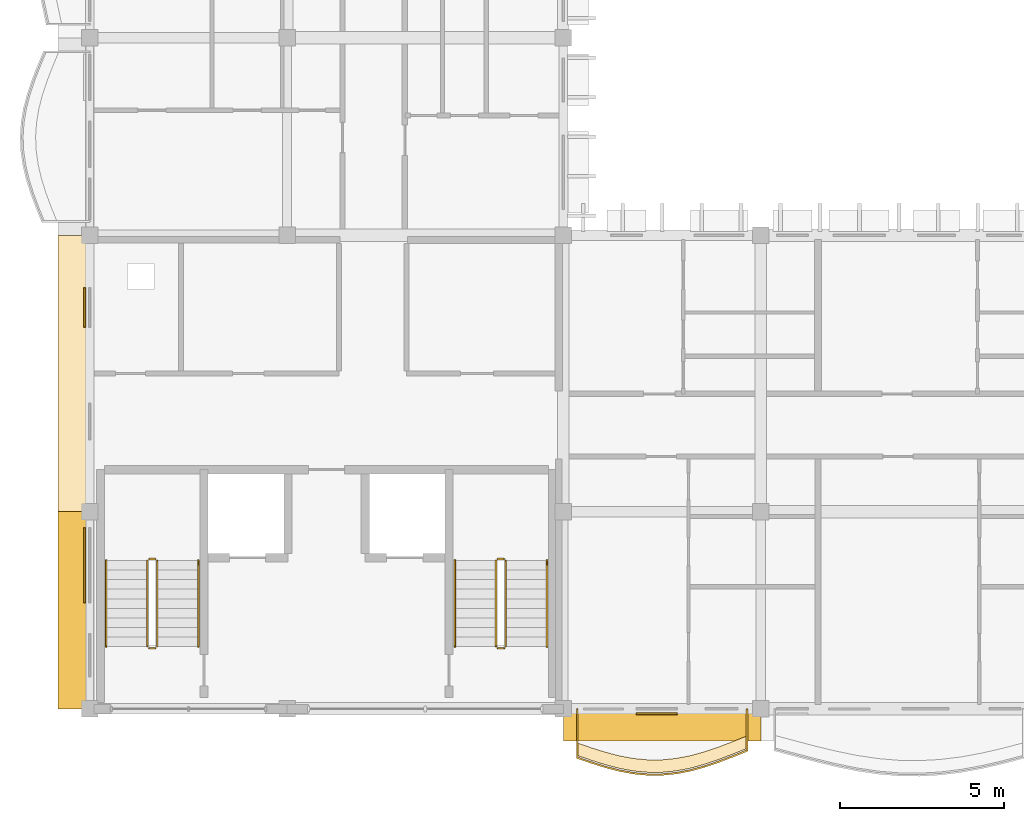
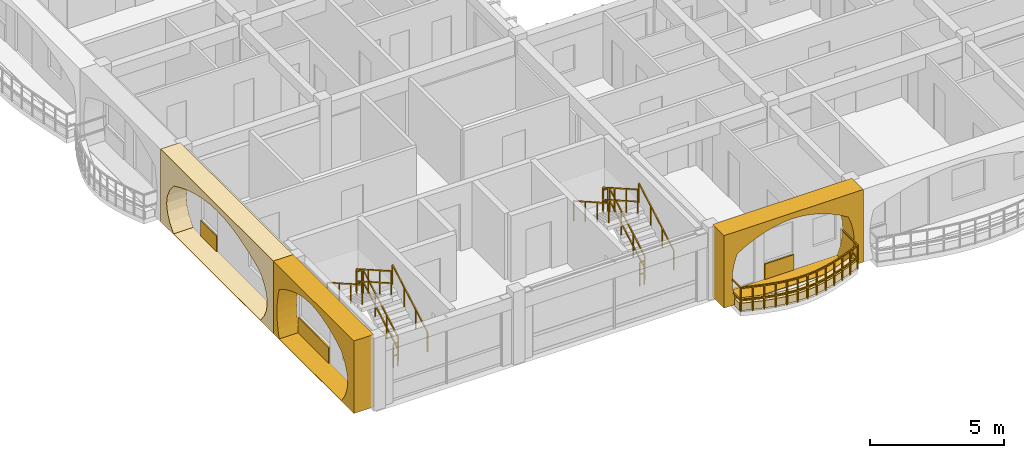
# One storey, part 36 of 59: 13 railings, 7 coverings.
"""IFC4 building model written with IfcOpenShell, lengths in metres."""

from ifc_helpers import new_model, si_unit, direction, frame, origin, origin_2d, place, context, subcontext, project, spatial, polyline, rectangle, outline, extrude, material, layer, layer_set, type_object, element, save


model = new_model("IFC4")

# Units and contexts
model_context = context("Model", 3, precision=1e-05, world=origin(), true_north=direction((0.0, 1.0)))
body_context = subcontext(model_context, "Body", "Model", "MODEL_VIEW")
ifc_project = project(units=[si_unit("LENGTHUNIT", "METRE"), si_unit("AREAUNIT", "SQUARE_METRE"), si_unit("VOLUMEUNIT", "CUBIC_METRE"), si_unit("PLANEANGLEUNIT", "RADIAN"), si_unit("MASSUNIT", "GRAM", prefix="KILO"), si_unit("THERMODYNAMICTEMPERATUREUNIT", "KELVIN")], contexts=[model_context])

# Site, building, storey
site_placement = place(None, origin())
site = spatial("IfcSite", under=ifc_project, at=site_placement, CompositionType="ELEMENT")
building_placement = place(site_placement, origin())
building = spatial("IfcBuilding", under=site, at=building_placement, Name="Thalorik Housing Commons", CompositionType="ELEMENT")
storey_placement = place(building_placement, frame((0.0, 0.0, 27.89990234375)))
storey = spatial("IfcBuildingStorey", under=building, at=storey_placement, Name="L08", CompositionType="ELEMENT", Elevation=27.89990234375)

# Coverings
ifc_material_1 = material(Name="Cobalt blue glazed ceramic facade tile panel", Category="masonry")
ifc_layer_1 = layer(ifc_material_1, 0.06005859375, Name="Cobalt blue glazed ceramic facade tile panel", Category="masonry")
ifc_layer_set_1 = layer_set([ifc_layer_1], Name="Cobalt blue glazed ceramic facade tile panel")
covering_type_1 = type_object("IfcCoveringType", Name="ARC-CLD-BLU-60", PredefinedType="CLADDING", material=ifc_layer_set_1)
covering_1_placement = place(storey_placement, frame((8.24755859375, 12.77001953125, 0.05029296875), z_axis=(0.0, 0.0, 1.0), x_axis=(0.0, -1.0, 0.0)))
element("IfcCovering", 1, at=covering_1_placement, inside=storey, type_object=covering_type_1, Name="L08 De Stijl Recessed Window Spandrel 4308", PredefinedType="CLADDING", context=body_context, shape_type="SweptSolid", body=[
    extrude(rectangle(XDim=2.280029296875, YDim=0.06005859375, at=origin_2d()), origin(), (0.0, 0.0, 1.0), 0.699951171875),
])
covering_2_placement = place(storey_placement, frame((25.635009765625, 8.24755859375, 0.05029296875), z_axis=(0.0, 0.0, 1.0), x_axis=(1.0, 0.0, 0.0)))
element("IfcCovering", 2, at=covering_2_placement, inside=storey, type_object=covering_type_1, Name="L08 De Stijl Recessed Window Spandrel 4310", PredefinedType="CLADDING", context=body_context, shape_type="SweptSolid", body=[
    extrude(rectangle(XDim=1.25, YDim=0.06005859375, at=origin_2d()), origin(), (0.0, 0.0, 1.0), 0.699951171875),
])
ifc_material_2 = material(Name="Precast concrete C40/50", Category="concrete")
ifc_layer_2 = layer(ifc_material_2, 0.85009765625, Name="Precast concrete C40/50", Category="concrete")
ifc_layer_set_2 = layer_set([ifc_layer_2], Name="Precast concrete C40/50")
covering_type_2 = type_object("IfcCoveringType", Name="ARC-CLD-CUSH-850", PredefinedType="CLADDING", material=ifc_layer_set_2)
covering_3_placement = place(storey_placement, frame((7.857421875, 18.60009765625, 0.0), z_axis=(0.0, 0.0, 1.0), x_axis=(0.0, -1.0, 0.0)))
element("IfcCovering", 3, at=covering_3_placement, inside=storey, type_object=covering_type_2, Name="L08 White Precast Curved Cushion Bay Frame 4305", PredefinedType="CLADDING", context=body_context, shape_type="SweptSolid", body=[
    extrude(outline(polyline([(-4.199951171875, 0.0), (4.199951171875, 0.0), (4.199951171875, 3.300048828125), (-4.199951171875, 3.300048828125), (-4.199951171875, 0.0)]), holes=[polyline([(3.239990234375, 0.02490234375), (3.523193359375, 0.387451171875), (3.693359375, 0.75), (3.75, 1.112548828125), (3.693359375, 1.47509765625), (3.523193359375, 1.83740234375), (3.239990234375, 2.199951171875), (2.699951171875, 2.455810546875), (2.159912109375, 2.656494140625), (1.6201171875, 2.819091796875), (1.080078125, 2.940185546875), (0.5400390625, 3.014892578125), (0.0, 3.0400390625), (-0.5400390625, 3.014892578125), (-1.080078125, 2.940185546875), (-1.6201171875, 2.819091796875), (-2.159912109375, 2.656494140625), (-2.699951171875, 2.455810546875), (-3.239990234375, 2.199951171875), (-3.523193359375, 1.83740234375), (-3.693359375, 1.47509765625), (-3.75, 1.112548828125), (-3.693359375, 0.75), (-3.523193359375, 0.387451171875), (-3.239990234375, 0.02490234375), (3.239990234375, 0.02490234375)])]), frame((0.0, 0.425048828125, 0.0), z_axis=(0.0, -1.0, 0.0), x_axis=(1.0, 0.0, 0.0)), (0.0, 0.0, 1.0), 0.85009765625),
])
covering_4_placement = place(storey_placement, frame((7.857421875, 11.39990234375, 0.0), z_axis=(0.0, 0.0, 1.0), x_axis=(0.0, -1.0, 0.0)))
element("IfcCovering", 4, at=covering_4_placement, inside=storey, type_object=covering_type_2, Name="L08 White Precast Curved Cushion Bay Frame 4307", PredefinedType="CLADDING", context=body_context, shape_type="SweptSolid", body=[
    extrude(outline(polyline([(-3.0, 0.0), (3.0, 0.0), (3.0, 3.300048828125), (-3.0, 3.300048828125), (-3.0, 0.0)]), holes=[polyline([(2.070068359375, 0.02490234375), (2.336669921875, 0.40087890625), (2.49658203125, 0.776611328125), (2.550048828125, 1.152587890625), (2.49658203125, 1.5283203125), (2.336669921875, 1.904296875), (2.070068359375, 2.280029296875), (1.68408203125, 2.51123046875), (1.29833984375, 2.693115234375), (0.91259765625, 2.840087890625), (0.526611328125, 2.94970703125), (0.140869140625, 3.01708984375), (-0.2451171875, 3.0400390625), (-0.630859375, 3.01708984375), (-1.0166015625, 2.94970703125), (-1.402587890625, 2.840087890625), (-1.788330078125, 2.693115234375), (-2.17431640625, 2.51123046875), (-2.56005859375, 2.280029296875), (-2.65283203125, 1.904296875), (-2.70849609375, 1.5283203125), (-2.727294921875, 1.152587890625), (-2.70849609375, 0.776611328125), (-2.65283203125, 0.40087890625), (-2.56005859375, 0.02490234375), (2.070068359375, 0.02490234375)])]), frame((0.0, 0.425048828125, 0.0), z_axis=(0.0, -1.0, 0.0), x_axis=(1.0, 0.0, 0.0)), (0.0, 0.0, 1.0), 0.85009765625),
])
covering_5_placement = place(storey_placement, frame((25.800048828125, 7.857421875, 0.0), z_axis=(0.0, 0.0, 1.0), x_axis=(1.0, 0.0, 0.0)))
element("IfcCovering", 5, at=covering_5_placement, inside=storey, type_object=covering_type_2, Name="L08 White Precast Curved Cushion Bay Frame 4309", PredefinedType="CLADDING", context=body_context, shape_type="SweptSolid", body=[
    extrude(outline(polyline([(-3.0, 0.0), (3.0, 0.0), (3.0, 3.300048828125), (-3.0, 3.300048828125), (-3.0, 0.0)]), holes=[polyline([(2.35498046875, 0.02490234375), (2.4912109375, 0.399169921875), (2.572998046875, 0.773193359375), (2.60009765625, 1.1474609375), (2.572998046875, 1.521728515625), (2.4912109375, 1.895751953125), (2.35498046875, 2.27001953125), (1.956298828125, 2.50439453125), (1.5576171875, 2.6884765625), (1.15869140625, 2.837646484375), (0.760009765625, 2.948486328125), (0.361083984375, 3.016845703125), (-0.03759765625, 3.0400390625), (-0.436279296875, 3.016845703125), (-0.8349609375, 2.948486328125), (-1.233642578125, 2.837646484375), (-1.632568359375, 2.6884765625), (-2.03125, 2.50439453125), (-2.429931640625, 2.27001953125), (-2.55029296875, 1.895751953125), (-2.62255859375, 1.521728515625), (-2.646484375, 1.1474609375), (-2.62255859375, 0.773193359375), (-2.55029296875, 0.399169921875), (-2.429931640625, 0.02490234375), (2.35498046875, 0.02490234375)])]), frame((0.0, 0.425048828125, 0.0), z_axis=(0.0, -1.0, 0.0), x_axis=(1.0, 0.0, 0.0)), (0.0, 0.0, 1.0), 0.85009765625),
])
ifc_material_3 = material(Name="Terracotta red mineral fibre-cement panel", Category="masonry")
ifc_layer_3 = layer(ifc_material_3, 0.054931640625, Name="Terracotta red mineral fibre-cement panel", Category="masonry")
ifc_layer_set_3 = layer_set([ifc_layer_3], Name="Terracotta red mineral fibre-cement panel")
covering_type_3 = type_object("IfcCoveringType", Name="ARC-CLD-RED-55", PredefinedType="CLADDING", material=ifc_layer_set_3)
covering_6_placement = place(storey_placement, frame((8.25, 20.60498046875, 0.05029296875), z_axis=(0.0, 0.0, 1.0), x_axis=(0.0, -1.0, 0.0)))
element("IfcCovering", 6, at=covering_6_placement, inside=storey, type_object=covering_type_3, Name="L08 De Stijl Recessed Window Spandrel 4306", PredefinedType="CLADDING", context=body_context, shape_type="SweptSolid", body=[
    extrude(rectangle(XDim=1.199951171875, YDim=0.054931640625, at=origin_2d()), origin(), (0.0, 0.0, 1.0), 0.699951171875),
])
ifc_material_4 = material(Name="Planted vegetated substrate and terracotta trough", Category="masonry")
ifc_layer_4 = layer(ifc_material_4, 0.340087890625, Name="Planted vegetated substrate and terracotta trough", Category="masonry")
ifc_layer_set_4 = layer_set([ifc_layer_4], Name="Planted vegetated substrate and terracotta trough")
covering_type_4 = type_object("IfcCoveringType", Name="ARC-COV-PLANTER", PredefinedType="USERDEFINED", material=ifc_layer_set_4)
covering_7_placement = place(storey_placement, origin())
element("IfcCovering", 7, at=covering_7_placement, inside=storey, type_object=covering_type_4, Name="L08 Balcony Slab-Edge Planted Trough 5630", ObjectType="PLANTER", PredefinedType="USERDEFINED", context=body_context, shape_type="SweptSolid", body=[
    extrude(outline(polyline([(23.219970703125, 6.98779296875), (23.64990234375, 6.83837890625), (24.080078125, 6.703125), (24.510009765625, 6.59228515625), (24.93994140625, 6.51318359375), (25.3701171875, 6.47265625), (25.800048828125, 6.473388671875), (26.22998046875, 6.5166015625), (26.659912109375, 6.599853515625), (27.090087890625, 6.718017578125), (27.52001953125, 6.864013671875), (27.949951171875, 7.028564453125), (28.3798828125, 7.20068359375), (28.3798828125, 7.580810546875), (27.949951171875, 7.40869140625), (27.52001953125, 7.244140625), (27.090087890625, 7.09814453125), (26.659912109375, 6.979736328125), (26.22998046875, 6.896484375), (25.800048828125, 6.853515625), (25.3701171875, 6.8525390625), (24.93994140625, 6.893310546875), (24.510009765625, 6.97216796875), (24.080078125, 7.083251953125), (23.64990234375, 7.21826171875), (23.219970703125, 7.367919921875), (23.219970703125, 6.98779296875)])), origin(), (0.0, 0.0, 1.0), 0.340087890625),
])

# Railings
ifc_material_5 = material(Name="Steel S355", Category="steel")
railing_type_1 = type_object("IfcRailingType", Name="ARC-RL-BAL-112", PredefinedType="BALUSTRADE", material=ifc_material_5)
railing_1_placement = place(storey_placement, frame((23.219970703125, 8.39990234375, 0.0)))
element("IfcRailing", 8, at=railing_1_placement, inside=storey, type_object=railing_type_1, Name="L08 Cushion Balcony Guardrail 314", PredefinedType="BALUSTRADE", context=body_context, shape_type="SweptSolid", body=[
    extrude(rectangle(XDim=0.050048828125, YDim=0.050048828125, at=origin_2d()), frame((0.0, 0.0, 1.09521484375), z_axis=(0.0, -1.0, 0.0), x_axis=(1.0, 0.0, 0.0)), (0.0, 0.0, 1.0), 1.482177734375),
    extrude(rectangle(XDim=0.050048828125, YDim=0.050048828125, at=origin_2d()), frame((0.0, 0.0, 0.53515625), z_axis=(0.0, -1.0, 0.0), x_axis=(1.0, 0.0, 0.0)), (0.0, 0.0, 1.0), 1.482177734375),
    extrude(rectangle(XDim=0.050048828125, YDim=0.050048828125, at=origin_2d()), frame((0.0, -1.482177734375, 1.09521484375), z_axis=(0.944583599267, -0.328270961244, 0.0), x_axis=(0.328270961244, 0.944583599267, 0.0)), (0.0, 0.0, 1.0), 0.455078125),
    extrude(rectangle(XDim=0.050048828125, YDim=0.050048828125, at=origin_2d()), frame((0.0, -1.482177734375, 0.53515625), z_axis=(0.944583599267, -0.328270961244, 0.0), x_axis=(0.328270961244, 0.944583599267, 0.0)), (0.0, 0.0, 1.0), 0.455078125),
    extrude(rectangle(XDim=0.050048828125, YDim=0.050048828125, at=origin_2d()), frame((0.429931640625, -1.631591796875, 1.09521484375), z_axis=(0.954113123941, -0.29944640042, 0.0), x_axis=(0.29944640042, 0.954113123941, 0.0)), (0.0, 0.0, 1.0), 0.450927734375),
    extrude(rectangle(XDim=0.050048828125, YDim=0.050048828125, at=origin_2d()), frame((0.429931640625, -1.631591796875, 0.53515625), z_axis=(0.954113123941, -0.29944640042, 0.0), x_axis=(0.29944640042, 0.954113123941, 0.0)), (0.0, 0.0, 1.0), 0.450927734375),
    extrude(rectangle(XDim=0.050048828125, YDim=0.050048828125, at=origin_2d()), frame((0.860107421875, -1.7666015625, 1.09521484375), z_axis=(0.968204332881, -0.250160687939, 0.0), x_axis=(0.250160687939, 0.968204332881, 0.0)), (0.0, 0.0, 1.0), 0.444091796875),
    extrude(rectangle(XDim=0.050048828125, YDim=0.050048828125, at=origin_2d()), frame((0.860107421875, -1.7666015625, 0.53515625), z_axis=(0.968204332881, -0.250160687939, 0.0), x_axis=(0.250160687939, 0.968204332881, 0.0)), (0.0, 0.0, 1.0), 0.444091796875),
    extrude(rectangle(XDim=0.050048828125, YDim=0.050048828125, at=origin_2d()), frame((1.2900390625, -1.877685546875, 1.09521484375), z_axis=(0.983591693619, -0.180408925065, 0.0), x_axis=(0.180408925065, 0.983591693619, 0.0)), (0.0, 0.0, 1.0), 0.43701171875),
    extrude(rectangle(XDim=0.050048828125, YDim=0.050048828125, at=origin_2d()), frame((1.2900390625, -1.877685546875, 0.53515625), z_axis=(0.983591693619, -0.180408925065, 0.0), x_axis=(0.180408925065, 0.983591693619, 0.0)), (0.0, 0.0, 1.0), 0.43701171875),
    extrude(rectangle(XDim=0.050048828125, YDim=0.050048828125, at=origin_2d()), frame((1.719970703125, -1.95654296875, 1.09521484375), z_axis=(0.99553853831, -0.09435580925, 0.0), x_axis=(0.09435580925, 0.99553853831, 0.0)), (0.0, 0.0, 1.0), 0.43212890625),
    extrude(rectangle(XDim=0.050048828125, YDim=0.050048828125, at=origin_2d()), frame((1.719970703125, -1.95654296875, 0.53515625), z_axis=(0.99553853831, -0.09435580925, 0.0), x_axis=(0.09435580925, 0.99553853831, 0.0)), (0.0, 0.0, 1.0), 0.43212890625),
    extrude(rectangle(XDim=0.050048828125, YDim=0.050048828125, at=origin_2d()), frame((2.150146484375, -1.997314453125, 1.09521484375), z_axis=(0.999997420298, 0.002271430824, 0.0), x_axis=(-0.002271430824, 0.999997420298, 0.0)), (0.0, 0.0, 1.0), 0.429931640625),
    extrude(rectangle(XDim=0.050048828125, YDim=0.050048828125, at=origin_2d()), frame((2.150146484375, -1.997314453125, 0.53515625), z_axis=(0.999997420298, 0.002271430824, 0.0), x_axis=(-0.002271430824, 0.999997420298, 0.0)), (0.0, 0.0, 1.0), 0.429931640625),
    extrude(rectangle(XDim=0.050048828125, YDim=0.050048828125, at=origin_2d()), frame((2.580078125, -1.996337890625, 1.09521484375), z_axis=(0.995042783134, 0.099447773896, 0.0), x_axis=(-0.099447773896, 0.995042783134, 0.0)), (0.0, 0.0, 1.0), 0.43212890625),
    extrude(rectangle(XDim=0.050048828125, YDim=0.050048828125, at=origin_2d()), frame((2.580078125, -1.996337890625, 0.53515625), z_axis=(0.995042783134, 0.099447773896, 0.0), x_axis=(-0.099447773896, 0.995042783134, 0.0)), (0.0, 0.0, 1.0), 0.43212890625),
    extrude(rectangle(XDim=0.050048828125, YDim=0.050048828125, at=origin_2d()), frame((3.010009765625, -1.953369140625, 1.09521484375), z_axis=(0.981763071343, 0.190108578835, 0.0), x_axis=(-0.190108578835, 0.981763071343, 0.0)), (0.0, 0.0, 1.0), 0.43798828125),
    extrude(rectangle(XDim=0.050048828125, YDim=0.050048828125, at=origin_2d()), frame((3.010009765625, -1.953369140625, 0.53515625), z_axis=(0.981763071343, 0.190108578835, 0.0), x_axis=(-0.190108578835, 0.981763071343, 0.0)), (0.0, 0.0, 1.0), 0.43798828125),
    extrude(rectangle(XDim=0.050048828125, YDim=0.050048828125, at=origin_2d()), frame((3.43994140625, -1.8701171875, 1.09521484375), z_axis=(0.964142412169, 0.26538539722, 0.0), x_axis=(-0.26538539722, 0.964142412169, 0.0)), (0.0, 0.0, 1.0), 0.4462890625),
    extrude(rectangle(XDim=0.050048828125, YDim=0.050048828125, at=origin_2d()), frame((3.43994140625, -1.8701171875, 0.53515625), z_axis=(0.964142412169, 0.26538539722, 0.0), x_axis=(-0.26538539722, 0.964142412169, 0.0)), (0.0, 0.0, 1.0), 0.4462890625),
    extrude(rectangle(XDim=0.050048828125, YDim=0.050048828125, at=origin_2d()), frame((3.8701171875, -1.751708984375, 1.09521484375), z_axis=(0.946893945051, 0.321546041533, 0.0), x_axis=(-0.321546041533, 0.946893945051, 0.0)), (0.0, 0.0, 1.0), 0.4541015625),
    extrude(rectangle(XDim=0.050048828125, YDim=0.050048828125, at=origin_2d()), frame((3.8701171875, -1.751708984375, 0.53515625), z_axis=(0.946893945051, 0.321546041533, 0.0), x_axis=(-0.321546041533, 0.946893945051, 0.0)), (0.0, 0.0, 1.0), 0.4541015625),
    extrude(rectangle(XDim=0.050048828125, YDim=0.050048828125, at=origin_2d()), frame((4.300048828125, -1.605712890625, 1.09521484375), z_axis=(0.934109070597, 0.356987736804, 0.0), x_axis=(-0.356987736804, 0.934109070597, 0.0)), (0.0, 0.0, 1.0), 0.460205078125),
    extrude(rectangle(XDim=0.050048828125, YDim=0.050048828125, at=origin_2d()), frame((4.300048828125, -1.605712890625, 0.53515625), z_axis=(0.934109070597, 0.356987736804, 0.0), x_axis=(-0.356987736804, 0.934109070597, 0.0)), (0.0, 0.0, 1.0), 0.460205078125),
    extrude(rectangle(XDim=0.050048828125, YDim=0.050048828125, at=origin_2d()), frame((4.72998046875, -1.44140625, 1.09521484375), z_axis=(0.928185604214, 0.372117567618, 0.0), x_axis=(-0.372117567618, 0.928185604214, 0.0)), (0.0, 0.0, 1.0), 0.463134765625),
    extrude(rectangle(XDim=0.050048828125, YDim=0.050048828125, at=origin_2d()), frame((4.72998046875, -1.44140625, 0.53515625), z_axis=(0.928185604214, 0.372117567618, 0.0), x_axis=(-0.372117567618, 0.928185604214, 0.0)), (0.0, 0.0, 1.0), 0.463134765625),
    extrude(rectangle(XDim=0.050048828125, YDim=0.050048828125, at=origin_2d()), frame((5.159912109375, -1.26904296875, 1.09521484375), z_axis=(0.0, 1.0, 0.0), x_axis=(-1.0, 0.0, 0.0)), (0.0, 0.0, 1.0), 1.26904296875),
    extrude(rectangle(XDim=0.050048828125, YDim=0.050048828125, at=origin_2d()), frame((5.159912109375, -1.26904296875, 0.53515625), z_axis=(0.0, 1.0, 0.0), x_axis=(-1.0, 0.0, 0.0)), (0.0, 0.0, 1.0), 1.26904296875),
    extrude(rectangle(XDim=0.0419921875, YDim=0.0419921875, at=origin_2d()), origin(), (0.0, 0.0, 1.0), 1.070068359375),
    extrude(rectangle(XDim=0.0419921875, YDim=0.0419921875, at=origin_2d()), frame((0.0, -1.482177734375, 0.0)), (0.0, 0.0, 1.0), 1.070068359375),
    extrude(rectangle(XDim=0.0419921875, YDim=0.0419921875, at=origin_2d()), frame((0.429931640625, -1.631591796875, 0.0)), (0.0, 0.0, 1.0), 1.070068359375),
    extrude(rectangle(XDim=0.0419921875, YDim=0.0419921875, at=origin_2d()), frame((0.860107421875, -1.7666015625, 0.0)), (0.0, 0.0, 1.0), 1.070068359375),
    extrude(rectangle(XDim=0.0419921875, YDim=0.0419921875, at=origin_2d()), frame((1.2900390625, -1.877685546875, 0.0)), (0.0, 0.0, 1.0), 1.070068359375),
    extrude(rectangle(XDim=0.0419921875, YDim=0.0419921875, at=origin_2d()), frame((1.719970703125, -1.95654296875, 0.0)), (0.0, 0.0, 1.0), 1.070068359375),
    extrude(rectangle(XDim=0.0419921875, YDim=0.0419921875, at=origin_2d()), frame((2.150146484375, -1.997314453125, 0.0)), (0.0, 0.0, 1.0), 1.070068359375),
    extrude(rectangle(XDim=0.0419921875, YDim=0.0419921875, at=origin_2d()), frame((2.580078125, -1.996337890625, 0.0)), (0.0, 0.0, 1.0), 1.070068359375),
    extrude(rectangle(XDim=0.0419921875, YDim=0.0419921875, at=origin_2d()), frame((3.010009765625, -1.953369140625, 0.0)), (0.0, 0.0, 1.0), 1.070068359375),
    extrude(rectangle(XDim=0.0419921875, YDim=0.0419921875, at=origin_2d()), frame((3.43994140625, -1.8701171875, 0.0)), (0.0, 0.0, 1.0), 1.070068359375),
    extrude(rectangle(XDim=0.0419921875, YDim=0.0419921875, at=origin_2d()), frame((3.8701171875, -1.751708984375, 0.0)), (0.0, 0.0, 1.0), 1.070068359375),
    extrude(rectangle(XDim=0.0419921875, YDim=0.0419921875, at=origin_2d()), frame((4.300048828125, -1.605712890625, 0.0)), (0.0, 0.0, 1.0), 1.070068359375),
    extrude(rectangle(XDim=0.0419921875, YDim=0.0419921875, at=origin_2d()), frame((4.72998046875, -1.44140625, 0.0)), (0.0, 0.0, 1.0), 1.070068359375),
    extrude(rectangle(XDim=0.0419921875, YDim=0.0419921875, at=origin_2d()), frame((5.159912109375, -1.26904296875, 0.0)), (0.0, 0.0, 1.0), 1.070068359375),
    extrude(rectangle(XDim=0.0419921875, YDim=0.0419921875, at=origin_2d()), frame((5.159912109375, 0.0, 0.0)), (0.0, 0.0, 1.0), 1.070068359375),
])
railing_type_2 = type_object("IfcRailingType", Name="ARC-RL-STR-GRD110", PredefinedType="GUARDRAIL", material=ifc_material_5)
railing_2_placement = place(storey_placement, frame((10.449951171875, 10.300048828125, 0.1650390625)))
element("IfcRailing", 9, at=railing_2_placement, inside=storey, type_object=railing_type_2, Name="L08 ST-C1 stair guard 1", PredefinedType="GUARDRAIL", context=body_context, shape_type="SweptSolid", body=[
    extrude(rectangle(XDim=0.048095703125, YDim=0.048095703125, at=origin_2d()), frame((0.0, 0.0, 1.076171875), z_axis=(0.0, 0.869137319866, 0.494570843475), x_axis=(-1.0, 0.0, 0.0)), (0.0, 0.0, 1.0), 3.0029296875),
    extrude(rectangle(XDim=0.048095703125, YDim=0.048095703125, at=origin_2d()), frame((0.0, 0.0, 0.52587890625), z_axis=(0.0, 0.869137319866, 0.494570843475), x_axis=(-1.0, 0.0, 0.0)), (0.0, 0.0, 1.0), 3.0029296875),
    extrude(rectangle(XDim=0.0419921875, YDim=0.0419921875, at=origin_2d()), origin(), (0.0, 0.0, 1.0), 1.052001953125),
    extrude(rectangle(XDim=0.0419921875, YDim=0.0419921875, at=origin_2d()), frame((0.0, 0.869873046875, 0.4951171875)), (0.0, 0.0, 1.0), 1.052001953125),
    extrude(rectangle(XDim=0.0419921875, YDim=0.0419921875, at=origin_2d()), frame((0.0, 1.739990234375, 0.989990234375)), (0.0, 0.0, 1.0), 1.052001953125),
    extrude(rectangle(XDim=0.0419921875, YDim=0.0419921875, at=origin_2d()), frame((0.0, 2.60986328125, 1.485107421875)), (0.0, 0.0, 1.0), 1.052001953125),
])
railing_3_placement = place(storey_placement, frame((10.39990234375, 12.9599609375, 1.650146484375)))
element("IfcRailing", 10, at=railing_3_placement, inside=storey, type_object=railing_type_2, Name="L08 ST-C1 stair guard 2", PredefinedType="GUARDRAIL", context=body_context, shape_type="SweptSolid", body=[
    extrude(rectangle(XDim=0.048095703125, YDim=0.048095703125, at=origin_2d()), frame((0.0, 0.0, 1.076171875), z_axis=(-1.0, 0.0, 0.0), x_axis=(0.0, -1.0, 0.0)), (0.0, 0.0, 1.0), 0.199951171875),
    extrude(rectangle(XDim=0.048095703125, YDim=0.048095703125, at=origin_2d()), frame((0.0, 0.0, 0.52587890625), z_axis=(-1.0, 0.0, 0.0), x_axis=(0.0, -1.0, 0.0)), (0.0, 0.0, 1.0), 0.199951171875),
    extrude(rectangle(XDim=0.0419921875, YDim=0.0419921875, at=origin_2d()), origin(), (0.0, 0.0, 1.0), 1.052001953125),
    extrude(rectangle(XDim=0.0419921875, YDim=0.0419921875, at=origin_2d()), frame((-0.199951171875, 0.0, 0.0)), (0.0, 0.0, 1.0), 1.052001953125),
])
railing_4_placement = place(storey_placement, frame((10.14990234375, 12.909912109375, 1.815185546875)))
element("IfcRailing", 11, at=railing_4_placement, inside=storey, type_object=railing_type_2, Name="L08 ST-C1 stair guard 3", PredefinedType="GUARDRAIL", context=body_context, shape_type="SweptSolid", body=[
    extrude(rectangle(XDim=0.048095703125, YDim=0.048095703125, at=origin_2d()), frame((0.0, 0.0, 1.076171875), z_axis=(0.0, -0.869172267526, 0.494509422927), x_axis=(1.0, 0.0, 0.0)), (0.0, 0.0, 1.0), 3.002685546875),
    extrude(rectangle(XDim=0.048095703125, YDim=0.048095703125, at=origin_2d()), frame((0.0, 0.0, 0.52587890625), z_axis=(0.0, -0.869172267526, 0.494509422927), x_axis=(1.0, 0.0, 0.0)), (0.0, 0.0, 1.0), 3.002685546875),
    extrude(rectangle(XDim=0.0419921875, YDim=0.0419921875, at=origin_2d()), origin(), (0.0, 0.0, 1.0), 1.052001953125),
    extrude(rectangle(XDim=0.0419921875, YDim=0.0419921875, at=origin_2d()), frame((0.0, -0.869873046875, 0.494873046875)), (0.0, 0.0, 1.0), 1.052001953125),
    extrude(rectangle(XDim=0.0419921875, YDim=0.0419921875, at=origin_2d()), frame((0.0, -1.739990234375, 0.989990234375)), (0.0, 0.0, 1.0), 1.052001953125),
    extrude(rectangle(XDim=0.0419921875, YDim=0.0419921875, at=origin_2d()), frame((0.0, -2.60986328125, 1.48486328125)), (0.0, 0.0, 1.0), 1.052001953125),
])
railing_5_placement = place(storey_placement, frame((10.39990234375, 10.25, 0.0)))
element("IfcRailing", 12, at=railing_5_placement, inside=storey, type_object=railing_type_2, Name="L08 ST-C1 stair guard 4", PredefinedType="GUARDRAIL", context=body_context, shape_type="SweptSolid", body=[
    extrude(rectangle(XDim=0.048095703125, YDim=0.048095703125, at=origin_2d()), frame((0.0, 0.0, 1.076171875), z_axis=(-1.0, 0.0, 0.0), x_axis=(0.0, -1.0, 0.0)), (0.0, 0.0, 1.0), 0.199951171875),
    extrude(rectangle(XDim=0.048095703125, YDim=0.048095703125, at=origin_2d()), frame((0.0, 0.0, 0.52587890625), z_axis=(-1.0, 0.0, 0.0), x_axis=(0.0, -1.0, 0.0)), (0.0, 0.0, 1.0), 0.199951171875),
    extrude(rectangle(XDim=0.0419921875, YDim=0.0419921875, at=origin_2d()), origin(), (0.0, 0.0, 1.0), 1.052001953125),
    extrude(rectangle(XDim=0.0419921875, YDim=0.0419921875, at=origin_2d()), frame((-0.199951171875, 0.0, 0.0)), (0.0, 0.0, 1.0), 1.052001953125),
])
railing_6_placement = place(storey_placement, frame((21.050048828125, 10.300048828125, 0.1650390625)))
element("IfcRailing", 13, at=railing_6_placement, inside=storey, type_object=railing_type_2, Name="L08 ST-C2 stair guard 1", PredefinedType="GUARDRAIL", context=body_context, shape_type="SweptSolid", body=[
    extrude(rectangle(XDim=0.048095703125, YDim=0.048095703125, at=origin_2d()), frame((0.0, 0.0, 1.076171875), z_axis=(0.0, 0.869137319866, 0.494570843475), x_axis=(-1.0, 0.0, 0.0)), (0.0, 0.0, 1.0), 3.0029296875),
    extrude(rectangle(XDim=0.048095703125, YDim=0.048095703125, at=origin_2d()), frame((0.0, 0.0, 0.52587890625), z_axis=(0.0, 0.869137319866, 0.494570843475), x_axis=(-1.0, 0.0, 0.0)), (0.0, 0.0, 1.0), 3.0029296875),
    extrude(rectangle(XDim=0.0419921875, YDim=0.0419921875, at=origin_2d()), origin(), (0.0, 0.0, 1.0), 1.052001953125),
    extrude(rectangle(XDim=0.0419921875, YDim=0.0419921875, at=origin_2d()), frame((0.0, 0.869873046875, 0.4951171875)), (0.0, 0.0, 1.0), 1.052001953125),
    extrude(rectangle(XDim=0.0419921875, YDim=0.0419921875, at=origin_2d()), frame((0.0, 1.739990234375, 0.989990234375)), (0.0, 0.0, 1.0), 1.052001953125),
    extrude(rectangle(XDim=0.0419921875, YDim=0.0419921875, at=origin_2d()), frame((0.0, 2.60986328125, 1.485107421875)), (0.0, 0.0, 1.0), 1.052001953125),
])
railing_7_placement = place(storey_placement, frame((21.0, 12.9599609375, 1.650146484375)))
element("IfcRailing", 14, at=railing_7_placement, inside=storey, type_object=railing_type_2, Name="L08 ST-C2 stair guard 2", PredefinedType="GUARDRAIL", context=body_context, shape_type="SweptSolid", body=[
    extrude(rectangle(XDim=0.048095703125, YDim=0.048095703125, at=origin_2d()), frame((0.0, 0.0, 1.076171875), z_axis=(-1.0, 0.0, 0.0), x_axis=(0.0, -1.0, 0.0)), (0.0, 0.0, 1.0), 0.199951171875),
    extrude(rectangle(XDim=0.048095703125, YDim=0.048095703125, at=origin_2d()), frame((0.0, 0.0, 0.52587890625), z_axis=(-1.0, 0.0, 0.0), x_axis=(0.0, -1.0, 0.0)), (0.0, 0.0, 1.0), 0.199951171875),
    extrude(rectangle(XDim=0.0419921875, YDim=0.0419921875, at=origin_2d()), origin(), (0.0, 0.0, 1.0), 1.052001953125),
    extrude(rectangle(XDim=0.0419921875, YDim=0.0419921875, at=origin_2d()), frame((-0.199951171875, 0.0, 0.0)), (0.0, 0.0, 1.0), 1.052001953125),
])
railing_8_placement = place(storey_placement, frame((20.75, 12.909912109375, 1.815185546875)))
element("IfcRailing", 15, at=railing_8_placement, inside=storey, type_object=railing_type_2, Name="L08 ST-C2 stair guard 3", PredefinedType="GUARDRAIL", context=body_context, shape_type="SweptSolid", body=[
    extrude(rectangle(XDim=0.048095703125, YDim=0.048095703125, at=origin_2d()), frame((0.0, 0.0, 1.076171875), z_axis=(0.0, -0.869172267526, 0.494509422927), x_axis=(1.0, 0.0, 0.0)), (0.0, 0.0, 1.0), 3.002685546875),
    extrude(rectangle(XDim=0.048095703125, YDim=0.048095703125, at=origin_2d()), frame((0.0, 0.0, 0.52587890625), z_axis=(0.0, -0.869172267526, 0.494509422927), x_axis=(1.0, 0.0, 0.0)), (0.0, 0.0, 1.0), 3.002685546875),
    extrude(rectangle(XDim=0.0419921875, YDim=0.0419921875, at=origin_2d()), origin(), (0.0, 0.0, 1.0), 1.052001953125),
    extrude(rectangle(XDim=0.0419921875, YDim=0.0419921875, at=origin_2d()), frame((0.0, -0.869873046875, 0.494873046875)), (0.0, 0.0, 1.0), 1.052001953125),
    extrude(rectangle(XDim=0.0419921875, YDim=0.0419921875, at=origin_2d()), frame((0.0, -1.739990234375, 0.989990234375)), (0.0, 0.0, 1.0), 1.052001953125),
    extrude(rectangle(XDim=0.0419921875, YDim=0.0419921875, at=origin_2d()), frame((0.0, -2.60986328125, 1.48486328125)), (0.0, 0.0, 1.0), 1.052001953125),
])
railing_9_placement = place(storey_placement, frame((21.0, 10.25, 0.0)))
element("IfcRailing", 16, at=railing_9_placement, inside=storey, type_object=railing_type_2, Name="L08 ST-C2 stair guard 4", PredefinedType="GUARDRAIL", context=body_context, shape_type="SweptSolid", body=[
    extrude(rectangle(XDim=0.048095703125, YDim=0.048095703125, at=origin_2d()), frame((0.0, 0.0, 1.076171875), z_axis=(-1.0, 0.0, 0.0), x_axis=(0.0, -1.0, 0.0)), (0.0, 0.0, 1.0), 0.199951171875),
    extrude(rectangle(XDim=0.048095703125, YDim=0.048095703125, at=origin_2d()), frame((0.0, 0.0, 0.52587890625), z_axis=(-1.0, 0.0, 0.0), x_axis=(0.0, -1.0, 0.0)), (0.0, 0.0, 1.0), 0.199951171875),
    extrude(rectangle(XDim=0.0419921875, YDim=0.0419921875, at=origin_2d()), origin(), (0.0, 0.0, 1.0), 1.052001953125),
    extrude(rectangle(XDim=0.0419921875, YDim=0.0419921875, at=origin_2d()), frame((-0.199951171875, 0.0, 0.0)), (0.0, 0.0, 1.0), 1.052001953125),
])
railing_type_3 = type_object("IfcRailingType", Name="ARC-RL-STR-HR092", PredefinedType="HANDRAIL", material=ifc_material_5)
railing_10_placement = place(storey_placement, frame((11.699951171875, 10.300048828125, 0.1650390625)))
element("IfcRailing", 17, at=railing_10_placement, inside=storey, type_object=railing_type_3, Name="L08 ST-C1 stair handrail 1", PredefinedType="HANDRAIL", context=body_context, shape_type="SweptSolid", body=[
    extrude(rectangle(XDim=0.048095703125, YDim=0.048095703125, at=origin_2d()), frame((0.0, 0.0, 0.89599609375), z_axis=(0.0, 0.869137319866, 0.494570843475), x_axis=(-1.0, 0.0, 0.0)), (0.0, 0.0, 1.0), 3.0029296875),
    extrude(rectangle(XDim=0.0419921875, YDim=0.0419921875, at=origin_2d()), origin(), (0.0, 0.0, 1.0), 0.871826171875),
    extrude(rectangle(XDim=0.0419921875, YDim=0.0419921875, at=origin_2d()), frame((0.0, 0.869873046875, 0.4951171875)), (0.0, 0.0, 1.0), 0.871826171875),
    extrude(rectangle(XDim=0.0419921875, YDim=0.0419921875, at=origin_2d()), frame((0.0, 1.739990234375, 0.989990234375)), (0.0, 0.0, 1.0), 0.871826171875),
    extrude(rectangle(XDim=0.0419921875, YDim=0.0419921875, at=origin_2d()), frame((0.0, 2.60986328125, 1.485107421875)), (0.0, 0.0, 1.0), 0.871826171875),
])
railing_11_placement = place(storey_placement, frame((8.89990234375, 12.909912109375, 1.815185546875)))
element("IfcRailing", 18, at=railing_11_placement, inside=storey, type_object=railing_type_3, Name="L08 ST-C1 stair handrail 2", PredefinedType="HANDRAIL", context=body_context, shape_type="SweptSolid", body=[
    extrude(rectangle(XDim=0.048095703125, YDim=0.048095703125, at=origin_2d()), frame((0.0, 0.0, 0.89599609375), z_axis=(0.0, -0.869172267526, 0.494509422927), x_axis=(1.0, 0.0, 0.0)), (0.0, 0.0, 1.0), 3.002685546875),
    extrude(rectangle(XDim=0.0419921875, YDim=0.0419921875, at=origin_2d()), origin(), (0.0, 0.0, 1.0), 0.871826171875),
    extrude(rectangle(XDim=0.0419921875, YDim=0.0419921875, at=origin_2d()), frame((0.0, -0.869873046875, 0.494873046875)), (0.0, 0.0, 1.0), 0.871826171875),
    extrude(rectangle(XDim=0.0419921875, YDim=0.0419921875, at=origin_2d()), frame((0.0, -1.739990234375, 0.989990234375)), (0.0, 0.0, 1.0), 0.871826171875),
    extrude(rectangle(XDim=0.0419921875, YDim=0.0419921875, at=origin_2d()), frame((0.0, -2.60986328125, 1.48486328125)), (0.0, 0.0, 1.0), 0.871826171875),
])
railing_12_placement = place(storey_placement, frame((22.300048828125, 10.300048828125, 0.1650390625)))
element("IfcRailing", 19, at=railing_12_placement, inside=storey, type_object=railing_type_3, Name="L08 ST-C2 stair handrail 1", PredefinedType="HANDRAIL", context=body_context, shape_type="SweptSolid", body=[
    extrude(rectangle(XDim=0.048095703125, YDim=0.048095703125, at=origin_2d()), frame((0.0, 0.0, 0.89599609375), z_axis=(0.0, 0.869137319866, 0.494570843475), x_axis=(-1.0, 0.0, 0.0)), (0.0, 0.0, 1.0), 3.0029296875),
    extrude(rectangle(XDim=0.0419921875, YDim=0.0419921875, at=origin_2d()), origin(), (0.0, 0.0, 1.0), 0.871826171875),
    extrude(rectangle(XDim=0.0419921875, YDim=0.0419921875, at=origin_2d()), frame((0.0, 0.869873046875, 0.4951171875)), (0.0, 0.0, 1.0), 0.871826171875),
    extrude(rectangle(XDim=0.0419921875, YDim=0.0419921875, at=origin_2d()), frame((0.0, 1.739990234375, 0.989990234375)), (0.0, 0.0, 1.0), 0.871826171875),
    extrude(rectangle(XDim=0.0419921875, YDim=0.0419921875, at=origin_2d()), frame((0.0, 2.60986328125, 1.485107421875)), (0.0, 0.0, 1.0), 0.871826171875),
])
railing_13_placement = place(storey_placement, frame((19.5, 12.909912109375, 1.815185546875)))
element("IfcRailing", 20, at=railing_13_placement, inside=storey, type_object=railing_type_3, Name="L08 ST-C2 stair handrail 2", PredefinedType="HANDRAIL", context=body_context, shape_type="SweptSolid", body=[
    extrude(rectangle(XDim=0.048095703125, YDim=0.048095703125, at=origin_2d()), frame((0.0, 0.0, 0.89599609375), z_axis=(0.0, -0.869172267526, 0.494509422927), x_axis=(1.0, 0.0, 0.0)), (0.0, 0.0, 1.0), 3.002685546875),
    extrude(rectangle(XDim=0.0419921875, YDim=0.0419921875, at=origin_2d()), origin(), (0.0, 0.0, 1.0), 0.871826171875),
    extrude(rectangle(XDim=0.0419921875, YDim=0.0419921875, at=origin_2d()), frame((0.0, -0.869873046875, 0.494873046875)), (0.0, 0.0, 1.0), 0.871826171875),
    extrude(rectangle(XDim=0.0419921875, YDim=0.0419921875, at=origin_2d()), frame((0.0, -1.739990234375, 0.989990234375)), (0.0, 0.0, 1.0), 0.871826171875),
    extrude(rectangle(XDim=0.0419921875, YDim=0.0419921875, at=origin_2d()), frame((0.0, -2.60986328125, 1.48486328125)), (0.0, 0.0, 1.0), 0.871826171875),
])

save(model, "model.ifc")
